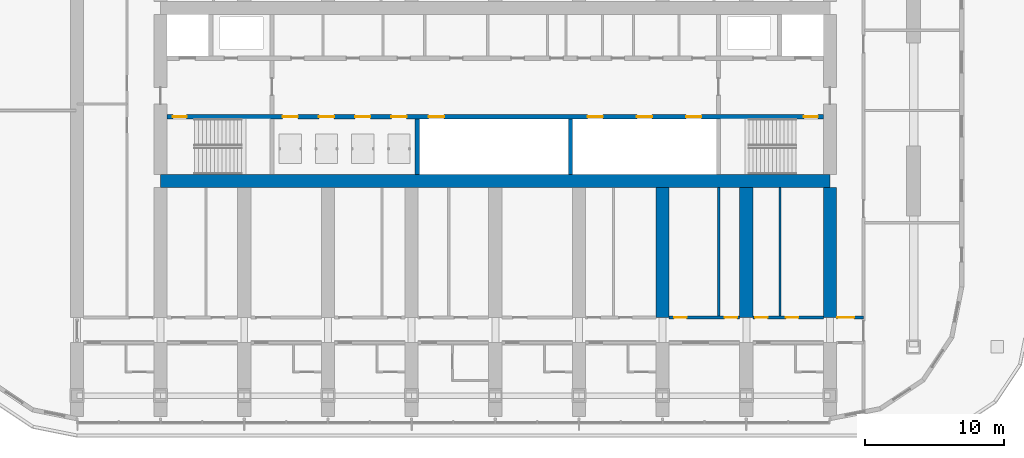
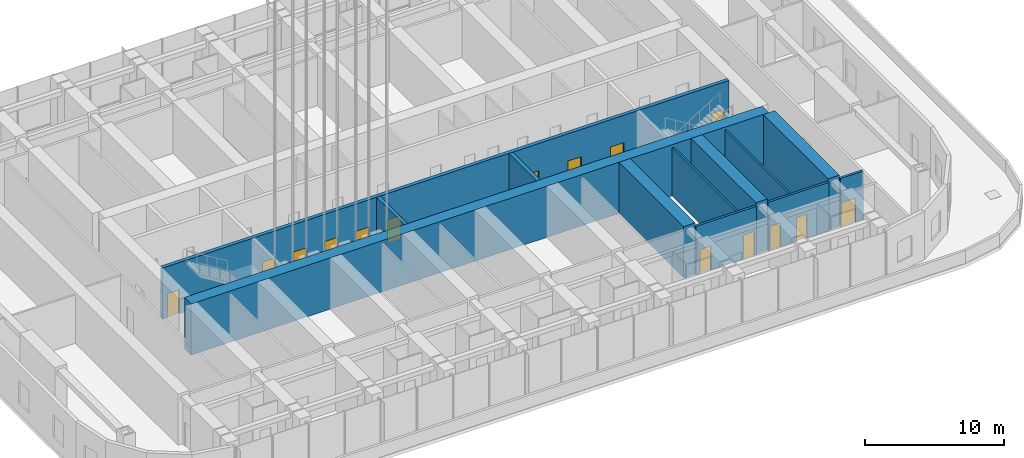
# One storey, part 11 of 31: 15 doors, 12 walls, 15 openings.
"""IFC4 building model written with IfcOpenShell, lengths in metres."""

from ifc_helpers import new_model, si_unit, direction, frame, frame_2d, origin, place, context, subcontext, project, spatial, rectangle, extrude, material, layer, layer_set, type_object, element, fill, save


model = new_model("IFC4")

# Units and contexts
model_context = context("Model", 3, precision=1e-05, world=origin(), true_north=direction((0.0, 1.0)))
body_context = subcontext(model_context, "Body", "Model", "MODEL_VIEW")
ifc_project = project(units=[si_unit("LENGTHUNIT", "METRE"), si_unit("AREAUNIT", "SQUARE_METRE"), si_unit("VOLUMEUNIT", "CUBIC_METRE"), si_unit("PLANEANGLEUNIT", "RADIAN"), si_unit("MASSUNIT", "GRAM", prefix="KILO")], contexts=[model_context])

# Site, building, storey
site_placement = place(None, origin())
site = spatial("IfcSite", under=ifc_project, at=site_placement, CompositionType="ELEMENT")
building_placement = place(site_placement, origin())
building = spatial("IfcBuilding", under=site, at=building_placement, Name="Orbita Commons", CompositionType="ELEMENT")
storey_placement = place(building_placement, frame((0.0, 0.0, 76.14990234375)))
storey = spatial("IfcBuildingStorey", under=building, at=storey_placement, Name="L18", CompositionType="ELEMENT", Elevation=76.14990234375)

# Wall, openings, doors
ifc_material_1 = material(Name="Concrete C50/60", Category="concrete")
ifc_layer_1 = layer(ifc_material_1, 0.300048828125)
ifc_layer_set_1 = layer_set([ifc_layer_1], Name="Concrete C50/60")
wall_type_1 = type_object("IfcWallType", Name="Core inner wall 300 C50/60", PredefinedType="SHEAR", material=ifc_layer_set_1)
wall_1_placement = place(storey_placement, frame((18.47509765625, 30.39990234375, 0.0), z_axis=(0.0, 0.0, 1.0), x_axis=(1.0, 0.0, 0.0)))
wall_1 = element("IfcWall", 1, at=wall_1_placement, inside=storey, type_object=wall_type_1, Name="Lobby wall south L18", PredefinedType="SHEAR", context=body_context, shape_type="SweptSolid", body=[
    extrude(rectangle(XDim=47.0498046875, YDim=0.300048828125, at=frame_2d((23.52490234375, 0.0))), origin(), (0.0, 0.0, 1.0), 4.5),
])
opening_1_placement = place(wall_1_placement, frame((0.39990234375, 0.0, 0.0)))
opening_1 = element("IfcOpeningElement", 2, at=opening_1_placement, cuts=wall_1, Name="Opening D02", PredefinedType="OPENING", context=body_context, shape_type="SweptSolid", body=[
    extrude(rectangle(XDim=1.0, YDim=2.10009765625, at=frame_2d((0.5, 1.050048828125))), frame((0.0, 0.159912109375, 0.0), z_axis=(0.0, -1.0, 0.0), x_axis=(1.0, 0.0, 0.0)), (0.0, 0.0, 1.0), 0.320068359375),
])
opening_2_placement = place(wall_1_placement, frame((45.64990234375, 0.0, 0.0)))
opening_2 = element("IfcOpeningElement", 3, at=opening_2_placement, cuts=wall_1, Name="Opening D02", PredefinedType="OPENING", context=body_context, shape_type="SweptSolid", body=[
    extrude(rectangle(XDim=1.0, YDim=2.10009765625, at=frame_2d((0.5, 1.050048828125))), frame((0.0, 0.159912109375, 0.0), z_axis=(0.0, -1.0, 0.0), x_axis=(1.0, 0.0, 0.0)), (0.0, 0.0, 1.0), 0.320068359375),
])
opening_3_placement = place(wall_1_placement, frame((8.27490234375, 0.0, 0.0)))
opening_3 = element("IfcOpeningElement", 4, at=opening_3_placement, cuts=wall_1, Name="Opening LD02", PredefinedType="OPENING", context=body_context, shape_type="SweptSolid", body=[
    extrude(rectangle(XDim=1.10009765625, YDim=2.10009765625, at=frame_2d((0.550048828125, 1.050048828125))), frame((0.0, 0.159912109375, 0.0), z_axis=(0.0, -1.0, 0.0), x_axis=(1.0, 0.0, 0.0)), (0.0, 0.0, 1.0), 0.320068359375),
])
opening_4_placement = place(wall_1_placement, frame((10.875, 0.0, 0.0)))
opening_4 = element("IfcOpeningElement", 5, at=opening_4_placement, cuts=wall_1, Name="Opening LD02", PredefinedType="OPENING", context=body_context, shape_type="SweptSolid", body=[
    extrude(rectangle(XDim=1.10009765625, YDim=2.10009765625, at=frame_2d((0.550048828125, 1.050048828125))), frame((0.0, 0.159912109375, 0.0), z_axis=(0.0, -1.0, 0.0), x_axis=(1.0, 0.0, 0.0)), (0.0, 0.0, 1.0), 0.320068359375),
])
opening_5_placement = place(wall_1_placement, frame((13.47509765625, 0.0, 0.0)))
opening_5 = element("IfcOpeningElement", 6, at=opening_5_placement, cuts=wall_1, Name="Opening LD02", PredefinedType="OPENING", context=body_context, shape_type="SweptSolid", body=[
    extrude(rectangle(XDim=1.10009765625, YDim=2.10009765625, at=frame_2d((0.550048828125, 1.050048828125))), frame((0.0, 0.159912109375, 0.0), z_axis=(0.0, -1.0, 0.0), x_axis=(1.0, 0.0, 0.0)), (0.0, 0.0, 1.0), 0.320068359375),
])
opening_6_placement = place(wall_1_placement, frame((16.074951171875, 0.0, 0.0)))
opening_6 = element("IfcOpeningElement", 7, at=opening_6_placement, cuts=wall_1, Name="Opening LD02", PredefinedType="OPENING", context=body_context, shape_type="SweptSolid", body=[
    extrude(rectangle(XDim=1.10009765625, YDim=2.10009765625, at=frame_2d((0.550048828125, 1.050048828125))), frame((0.0, 0.159912109375, 0.0), z_axis=(0.0, -1.0, 0.0), x_axis=(1.0, 0.0, 0.0)), (0.0, 0.0, 1.0), 0.320068359375),
])
opening_7_placement = place(wall_1_placement, frame((18.75, 0.0, 0.0)))
opening_7 = element("IfcOpeningElement", 8, at=opening_7_placement, cuts=wall_1, Name="Opening LD02", PredefinedType="OPENING", context=body_context, shape_type="SweptSolid", body=[
    extrude(rectangle(XDim=1.10009765625, YDim=2.10009765625, at=frame_2d((0.550048828125, 1.050048828125))), frame((0.0, 0.159912109375, 0.0), z_axis=(0.0, -1.0, 0.0), x_axis=(1.0, 0.0, 0.0)), (0.0, 0.0, 1.0), 0.320068359375),
])
opening_8_placement = place(wall_1_placement, frame((30.1416015625, 0.0, 0.0)))
opening_8 = element("IfcOpeningElement", 9, at=opening_8_placement, cuts=wall_1, Name="Opening LD02", PredefinedType="OPENING", context=body_context, shape_type="SweptSolid", body=[
    extrude(rectangle(XDim=1.10009765625, YDim=2.10009765625, at=frame_2d((0.550048828125, 1.050048828125))), frame((0.0, 0.159912109375, 0.0), z_axis=(0.0, -1.0, 0.0), x_axis=(1.0, 0.0, 0.0)), (0.0, 0.0, 1.0), 0.320068359375),
])
opening_9_placement = place(wall_1_placement, frame((33.675048828125, 0.0, 0.0)))
opening_9 = element("IfcOpeningElement", 10, at=opening_9_placement, cuts=wall_1, Name="Opening LD02", PredefinedType="OPENING", context=body_context, shape_type="SweptSolid", body=[
    extrude(rectangle(XDim=1.10009765625, YDim=2.10009765625, at=frame_2d((0.550048828125, 1.050048828125))), frame((0.0, 0.159912109375, 0.0), z_axis=(0.0, -1.0, 0.0), x_axis=(1.0, 0.0, 0.0)), (0.0, 0.0, 1.0), 0.320068359375),
])
opening_10_placement = place(wall_1_placement, frame((37.208251953125, 0.0, 0.0)))
opening_10 = element("IfcOpeningElement", 11, at=opening_10_placement, cuts=wall_1, Name="Opening LD02", PredefinedType="OPENING", context=body_context, shape_type="SweptSolid", body=[
    extrude(rectangle(XDim=1.10009765625, YDim=2.10009765625, at=frame_2d((0.550048828125, 1.050048828125))), frame((0.0, 0.159912109375, 0.0), z_axis=(0.0, -1.0, 0.0), x_axis=(1.0, 0.0, 0.0)), (0.0, 0.0, 1.0), 0.320068359375),
])
ifc_material_2 = material(Name="Steel-faced fire door leaf", Category="steel")
door_type_1 = type_object("IfcDoorType", Name="Fire door 90 min 1000x2100", OperationType="SINGLE_SWING_LEFT", PredefinedType="DOOR", material=ifc_material_2)
door_1_placement = place(opening_1_placement, origin())
door_1 = element("IfcDoor", 12, at=door_1_placement, inside=storey, type_object=door_type_1, Name="Stair S1 door", OperationType="SINGLE_SWING_LEFT", OverallHeight=2.10009765625, OverallWidth=1.0, PredefinedType="DOOR", context=body_context, shape_type="SweptSolid", body=[
    extrude(rectangle(XDim=1.0, YDim=2.10009765625, at=frame_2d((0.5, 1.050048828125))), frame((0.0, 0.02490234375, 0.0), z_axis=(0.0, -1.0, 0.0), x_axis=(1.0, 0.0, 0.0)), (0.0, 0.0, 1.0), 0.050048828125),
])
fill(opening_1, door_1)
door_2_placement = place(opening_2_placement, origin())
door_2 = element("IfcDoor", 13, at=door_2_placement, inside=storey, type_object=door_type_1, Name="Stair S2 door", OperationType="SINGLE_SWING_LEFT", OverallHeight=2.10009765625, OverallWidth=1.0, PredefinedType="DOOR", context=body_context, shape_type="SweptSolid", body=[
    extrude(rectangle(XDim=1.0, YDim=2.10009765625, at=frame_2d((0.5, 1.050048828125))), frame((0.0, 0.02490234375, 0.0), z_axis=(0.0, -1.0, 0.0), x_axis=(1.0, 0.0, 0.0)), (0.0, 0.0, 1.0), 0.050048828125),
])
fill(opening_2, door_2)
ifc_material_3 = material(Name="Steel-faced fire door leaf", Category="steel")
door_type_2 = type_object("IfcDoorType", Name="Lift landing door 1100x2100", OperationType="DOUBLE_DOOR_SLIDING", PredefinedType="DOOR", material=ifc_material_3)
door_3_placement = place(opening_3_placement, origin())
door_3 = element("IfcDoor", 14, at=door_3_placement, inside=storey, type_object=door_type_2, Name="Lift P21 landing door", OperationType="DOUBLE_DOOR_SLIDING", OverallHeight=2.10009765625, OverallWidth=1.10009765625, PredefinedType="DOOR", context=body_context, shape_type="SweptSolid", body=[
    extrude(rectangle(XDim=1.10009765625, YDim=2.10009765625, at=frame_2d((0.550048828125, 1.050048828125))), frame((0.0, 0.02490234375, 0.0), z_axis=(0.0, -1.0, 0.0), x_axis=(1.0, 0.0, 0.0)), (0.0, 0.0, 1.0), 0.050048828125),
])
fill(opening_3, door_3)
door_4_placement = place(opening_4_placement, origin())
door_4 = element("IfcDoor", 15, at=door_4_placement, inside=storey, type_object=door_type_2, Name="Lift P22 landing door", OperationType="DOUBLE_DOOR_SLIDING", OverallHeight=2.10009765625, OverallWidth=1.10009765625, PredefinedType="DOOR", context=body_context, shape_type="SweptSolid", body=[
    extrude(rectangle(XDim=1.10009765625, YDim=2.10009765625, at=frame_2d((0.550048828125, 1.050048828125))), frame((0.0, 0.02490234375, 0.0), z_axis=(0.0, -1.0, 0.0), x_axis=(1.0, 0.0, 0.0)), (0.0, 0.0, 1.0), 0.050048828125),
])
fill(opening_4, door_4)
door_5_placement = place(opening_5_placement, origin())
door_5 = element("IfcDoor", 16, at=door_5_placement, inside=storey, type_object=door_type_2, Name="Lift P23 landing door", OperationType="DOUBLE_DOOR_SLIDING", OverallHeight=2.10009765625, OverallWidth=1.10009765625, PredefinedType="DOOR", context=body_context, shape_type="SweptSolid", body=[
    extrude(rectangle(XDim=1.10009765625, YDim=2.10009765625, at=frame_2d((0.550048828125, 1.050048828125))), frame((0.0, 0.02490234375, 0.0), z_axis=(0.0, -1.0, 0.0), x_axis=(1.0, 0.0, 0.0)), (0.0, 0.0, 1.0), 0.050048828125),
])
fill(opening_5, door_5)
door_6_placement = place(opening_6_placement, origin())
door_6 = element("IfcDoor", 17, at=door_6_placement, inside=storey, type_object=door_type_2, Name="Lift P24 landing door", OperationType="DOUBLE_DOOR_SLIDING", OverallHeight=2.10009765625, OverallWidth=1.10009765625, PredefinedType="DOOR", context=body_context, shape_type="SweptSolid", body=[
    extrude(rectangle(XDim=1.10009765625, YDim=2.10009765625, at=frame_2d((0.550048828125, 1.050048828125))), frame((0.0, 0.02490234375, 0.0), z_axis=(0.0, -1.0, 0.0), x_axis=(1.0, 0.0, 0.0)), (0.0, 0.0, 1.0), 0.050048828125),
])
fill(opening_6, door_6)
door_7_placement = place(opening_7_placement, origin())
door_7 = element("IfcDoor", 18, at=door_7_placement, inside=storey, type_object=door_type_2, Name="Lift SH11 landing door", OperationType="DOUBLE_DOOR_SLIDING", OverallHeight=2.10009765625, OverallWidth=1.10009765625, PredefinedType="DOOR", context=body_context, shape_type="SweptSolid", body=[
    extrude(rectangle(XDim=1.10009765625, YDim=2.10009765625, at=frame_2d((0.550048828125, 1.050048828125))), frame((0.0, 0.02490234375, 0.0), z_axis=(0.0, -1.0, 0.0), x_axis=(1.0, 0.0, 0.0)), (0.0, 0.0, 1.0), 0.050048828125),
])
fill(opening_7, door_7)
door_8_placement = place(opening_8_placement, origin())
door_8 = element("IfcDoor", 19, at=door_8_placement, inside=storey, type_object=door_type_2, Name="Lift SV1 landing door", OperationType="DOUBLE_DOOR_SLIDING", OverallHeight=2.10009765625, OverallWidth=1.10009765625, PredefinedType="DOOR", context=body_context, shape_type="SweptSolid", body=[
    extrude(rectangle(XDim=1.10009765625, YDim=2.10009765625, at=frame_2d((0.550048828125, 1.050048828125))), frame((0.0, 0.02490234375, 0.0), z_axis=(0.0, -1.0, 0.0), x_axis=(1.0, 0.0, 0.0)), (0.0, 0.0, 1.0), 0.050048828125),
])
fill(opening_8, door_8)
door_9_placement = place(opening_9_placement, origin())
door_9 = element("IfcDoor", 20, at=door_9_placement, inside=storey, type_object=door_type_2, Name="Lift SV2 landing door", OperationType="DOUBLE_DOOR_SLIDING", OverallHeight=2.10009765625, OverallWidth=1.10009765625, PredefinedType="DOOR", context=body_context, shape_type="SweptSolid", body=[
    extrude(rectangle(XDim=1.10009765625, YDim=2.10009765625, at=frame_2d((0.550048828125, 1.050048828125))), frame((0.0, 0.02490234375, 0.0), z_axis=(0.0, -1.0, 0.0), x_axis=(1.0, 0.0, 0.0)), (0.0, 0.0, 1.0), 0.050048828125),
])
fill(opening_9, door_9)
door_10_placement = place(opening_10_placement, origin())
door_10 = element("IfcDoor", 21, at=door_10_placement, inside=storey, type_object=door_type_2, Name="Lift SV3 landing door", OperationType="DOUBLE_DOOR_SLIDING", OverallHeight=2.10009765625, OverallWidth=1.10009765625, PredefinedType="DOOR", context=body_context, shape_type="SweptSolid", body=[
    extrude(rectangle(XDim=1.10009765625, YDim=2.10009765625, at=frame_2d((0.550048828125, 1.050048828125))), frame((0.0, 0.02490234375, 0.0), z_axis=(0.0, -1.0, 0.0), x_axis=(1.0, 0.0, 0.0)), (0.0, 0.0, 1.0), 0.050048828125),
])
fill(opening_10, door_10)

# Walls
for number, where, z_axis, x_axis, name in (
    (22, (36.39990234375, 26.27490234375, 0.0), (0.0, 0.0, 1.0), (0.0, 1.0, 0.0), "Hoistway division wall L18"),
    (23, (47.39990234375, 26.27490234375, 0.0), (0.0, 0.0, 1.0), (0.0, 1.0, 0.0), "Hoistway division wall L18"),
):
    element("IfcWall", number, at=place(storey_placement, frame(where, z_axis=z_axis, x_axis=x_axis)), inside=storey, type_object=wall_type_1, Name=name, PredefinedType="SHEAR", context=body_context, shape_type="SweptSolid", body=[
        extrude(rectangle(XDim=3.97509765625, YDim=0.300048828125, at=frame_2d((1.987548828125, 0.0))), origin(), (0.0, 0.0, 1.0), 4.5),
    ])
ifc_material_4 = material(Name="Concrete C50/60", Category="concrete")
ifc_layer_2 = layer(ifc_material_4, 0.949951171875)
ifc_layer_set_2 = layer_set([ifc_layer_2], Name="Concrete C50/60")
wall_type_2 = type_object("IfcWallType", Name="Core wall 950 C50/60", PredefinedType="SHEAR", material=ifc_layer_set_2)
wall_2_placement = place(storey_placement, frame((18.0, 25.800048828125, 0.0), z_axis=(0.0, 0.0, 1.0), x_axis=(1.0, 0.0, 0.0)))
element("IfcWall", 24, at=wall_2_placement, inside=storey, type_object=wall_type_2, Name="Core spine wall south L18", PredefinedType="SHEAR", context=body_context, shape_type="SweptSolid", body=[
    extrude(rectangle(XDim=48.0, YDim=0.949951171875, at=frame_2d((24.0, 0.0))), origin(), (0.0, 0.0, 1.0), 4.5),
])

# Wall, openings, doors
ifc_material_5 = material(Name="Hollow concrete block 200", Category="concrete")
ifc_layer_3 = layer(ifc_material_5, 0.199951171875)
ifc_layer_set_3 = layer_set([ifc_layer_3], Name="Hollow concrete block 200")
wall_type_3 = type_object("IfcWallType", Name="Corridor wall 200 hollow concrete block", PredefinedType="SOLIDWALL", material=ifc_layer_set_3)
wall_3_placement = place(storey_placement, frame((54.47509765625, 16.0, 0.0), z_axis=(0.0, 0.0, 1.0), x_axis=(1.0, 0.0, 0.0)))
wall_3 = element("IfcWall", 25, at=wall_3_placement, inside=storey, type_object=wall_type_3, Name="Corridor wall 200 hollow concrete block L18", PredefinedType="SOLIDWALL", context=body_context, shape_type="SweptSolid", body=[
    extrude(rectangle(XDim=5.0498046875, YDim=0.199951171875, at=frame_2d((2.52490234375, 0.0))), origin(), (0.0, 0.0, 1.0), 4.25),
])
opening_11_placement = place(wall_3_placement, frame((0.35009765625, 0.0, 0.0)))
opening_11 = element("IfcOpeningElement", 26, at=opening_11_placement, cuts=wall_3, Name="Opening D11", PredefinedType="OPENING", context=body_context, shape_type="SweptSolid", body=[
    extrude(rectangle(XDim=0.89990234375, YDim=2.10009765625, at=frame_2d((0.449951171875, 1.050048828125))), frame((0.0, 0.10986328125, 0.0), z_axis=(0.0, -1.0, 0.0), x_axis=(1.0, 0.0, 0.0)), (0.0, 0.0, 1.0), 0.219970703125),
])
opening_12_placement = place(wall_3_placement, frame((3.97509765625, 0.0, 0.0)))
opening_12 = element("IfcOpeningElement", 27, at=opening_12_placement, cuts=wall_3, Name="Opening D11", PredefinedType="OPENING", context=body_context, shape_type="SweptSolid", body=[
    extrude(rectangle(XDim=0.89990234375, YDim=2.10009765625, at=frame_2d((0.449951171875, 1.050048828125))), frame((0.0, 0.10986328125, 0.0), z_axis=(0.0, -1.0, 0.0), x_axis=(1.0, 0.0, 0.0)), (0.0, 0.0, 1.0), 0.219970703125),
])
ifc_material_6 = material(Name="Steel-faced fire door leaf", Category="steel")
door_type_3 = type_object("IfcDoorType", Name="Corridor door 20 min 900x2100", OperationType="SINGLE_SWING_LEFT", PredefinedType="DOOR", material=ifc_material_6)
door_11_placement = place(opening_11_placement, origin())
door_11 = element("IfcDoor", 28, at=door_11_placement, inside=storey, type_object=door_type_3, Name="Parcel room L18-BDS54 door", OperationType="SINGLE_SWING_LEFT", OverallHeight=2.10009765625, OverallWidth=0.89990234375, PredefinedType="DOOR", context=body_context, shape_type="SweptSolid", body=[
    extrude(rectangle(XDim=0.89990234375, YDim=2.10009765625, at=frame_2d((0.449951171875, 1.050048828125))), frame((0.0, 0.02490234375, 0.0), z_axis=(0.0, -1.0, 0.0), x_axis=(1.0, 0.0, 0.0)), (0.0, 0.0, 1.0), 0.050048828125),
])
fill(opening_11, door_11)
door_12_placement = place(opening_12_placement, origin())
door_12 = element("IfcDoor", 29, at=door_12_placement, inside=storey, type_object=door_type_3, Name="Sprinkler valve room L18-BDS54n door", OperationType="SINGLE_SWING_LEFT", OverallHeight=2.10009765625, OverallWidth=0.89990234375, PredefinedType="DOOR", context=body_context, shape_type="SweptSolid", body=[
    extrude(rectangle(XDim=0.89990234375, YDim=2.10009765625, at=frame_2d((0.449951171875, 1.050048828125))), frame((0.0, 0.02490234375, 0.0), z_axis=(0.0, -1.0, 0.0), x_axis=(1.0, 0.0, 0.0)), (0.0, 0.0, 1.0), 0.050048828125),
])
fill(opening_12, door_12)

wall_4_placement = place(storey_placement, frame((60.47509765625, 16.0, 0.0), z_axis=(0.0, 0.0, 1.0), x_axis=(1.0, 0.0, 0.0)))
wall_4 = element("IfcWall", 30, at=wall_4_placement, inside=storey, type_object=wall_type_3, Name="Corridor wall 200 hollow concrete block L18", PredefinedType="SOLIDWALL", context=body_context, shape_type="SweptSolid", body=[
    extrude(rectangle(XDim=5.0498046875, YDim=0.199951171875, at=frame_2d((2.52490234375, 0.0))), origin(), (0.0, 0.0, 1.0), 4.25),
])
opening_13_placement = place(wall_4_placement, frame((0.14990234375, 0.0, 0.0)))
opening_13 = element("IfcOpeningElement", 31, at=opening_13_placement, cuts=wall_4, Name="Opening D11", PredefinedType="OPENING", context=body_context, shape_type="SweptSolid", body=[
    extrude(rectangle(XDim=0.89990234375, YDim=2.10009765625, at=frame_2d((0.449951171875, 1.050048828125))), frame((0.0, 0.10986328125, 0.0), z_axis=(0.0, -1.0, 0.0), x_axis=(1.0, 0.0, 0.0)), (0.0, 0.0, 1.0), 0.219970703125),
])
opening_14_placement = place(wall_4_placement, frame((2.35498046875, 0.0, 0.0)))
opening_14 = element("IfcOpeningElement", 32, at=opening_14_placement, cuts=wall_4, Name="Opening D11", PredefinedType="OPENING", context=body_context, shape_type="SweptSolid", body=[
    extrude(rectangle(XDim=0.89990234375, YDim=2.10009765625, at=frame_2d((0.449951171875, 1.050048828125))), frame((0.0, 0.10986328125, 0.0), z_axis=(0.0, -1.0, 0.0), x_axis=(1.0, 0.0, 0.0)), (0.0, 0.0, 1.0), 0.219970703125),
])
door_13_placement = place(opening_13_placement, origin())
door_13 = element("IfcDoor", 33, at=door_13_placement, inside=storey, type_object=door_type_3, Name="Water heater cupboard L18-BDS60n door", OperationType="SINGLE_SWING_LEFT", OverallHeight=2.10009765625, OverallWidth=0.89990234375, PredefinedType="DOOR", context=body_context, shape_type="SweptSolid", body=[
    extrude(rectangle(XDim=0.89990234375, YDim=2.10009765625, at=frame_2d((0.449951171875, 1.050048828125))), frame((0.0, 0.02490234375, 0.0), z_axis=(0.0, -1.0, 0.0), x_axis=(1.0, 0.0, 0.0)), (0.0, 0.0, 1.0), 0.050048828125),
])
fill(opening_13, door_13)
door_14_placement = place(opening_14_placement, origin())
door_14 = element("IfcDoor", 34, at=door_14_placement, inside=storey, type_object=door_type_3, Name="Guest luggage store L18-BDS60 door", OperationType="SINGLE_SWING_LEFT", OverallHeight=2.10009765625, OverallWidth=0.89990234375, PredefinedType="DOOR", context=body_context, shape_type="SweptSolid", body=[
    extrude(rectangle(XDim=0.89990234375, YDim=2.10009765625, at=frame_2d((0.449951171875, 1.050048828125))), frame((0.0, 0.02490234375, 0.0), z_axis=(0.0, -1.0, 0.0), x_axis=(1.0, 0.0, 0.0)), (0.0, 0.0, 1.0), 0.050048828125),
])
fill(opening_14, door_14)

# Wall, opening, door
wall_5_placement = place(storey_placement, frame((66.47509765625, 16.0, 0.0), z_axis=(0.0, 0.0, 1.0), x_axis=(1.0, 0.0, 0.0)))
wall_5 = element("IfcWall", 35, at=wall_5_placement, inside=storey, type_object=wall_type_3, Name="Corridor wall 200 hollow concrete block L18", PredefinedType="SOLIDWALL", context=body_context, shape_type="SweptSolid", body=[
    extrude(rectangle(XDim=1.9248046875, YDim=0.199951171875, at=frame_2d((0.96240234375, 0.0))), origin(), (0.0, 0.0, 1.0), 4.25),
])
opening_15_placement = place(wall_5_placement, frame((0.050048828125, 0.0, 0.0)))
opening_15 = element("IfcOpeningElement", 36, at=opening_15_placement, cuts=wall_5, Name="Opening D12", PredefinedType="OPENING", context=body_context, shape_type="SweptSolid", body=[
    extrude(rectangle(XDim=1.199951171875, YDim=2.10009765625, at=frame_2d((0.60009765625, 1.050048828125))), frame((0.0, 0.10986328125, 0.0), z_axis=(0.0, -1.0, 0.0), x_axis=(1.0, 0.0, 0.0)), (0.0, 0.0, 1.0), 0.219970703125),
])
ifc_material_7 = material(Name="Steel-faced fire door leaf", Category="steel")
door_type_4 = type_object("IfcDoorType", Name="Double corridor door 20 min 1200x2100", OperationType="DOUBLE_DOOR_SINGLE_SWING", PredefinedType="DOOR", material=ifc_material_7)
door_15_placement = place(opening_15_placement, origin())
door_15 = element("IfcDoor", 37, at=door_15_placement, inside=storey, type_object=door_type_4, Name="Cross corridor doors", OperationType="DOUBLE_DOOR_SINGLE_SWING", OverallHeight=2.10009765625, OverallWidth=1.199951171875, PredefinedType="DOOR", context=body_context, shape_type="SweptSolid", body=[
    extrude(rectangle(XDim=1.199951171875, YDim=2.10009765625, at=frame_2d((0.60009765625, 1.050048828125))), frame((0.0, 0.02490234375, 0.0), z_axis=(0.0, -1.0, 0.0), x_axis=(1.0, 0.0, 0.0)), (0.0, 0.0, 1.0), 0.050048828125),
])
fill(opening_15, door_15)

# Walls
ifc_material_8 = material(Name="Concrete C50/60", Category="concrete")
ifc_layer_4 = layer(ifc_material_8, 0.949951171875)
ifc_layer_set_4 = layer_set([ifc_layer_4], Name="Concrete C50/60")
wall_type_4 = type_object("IfcWallType", Name="Cross wall 950 C50/60", PredefinedType="SHEAR", material=ifc_layer_set_4)
for number, where, z_axis, x_axis, name in (
    (38, (54.0, 16.0, 0.0), (0.0, 0.0, 1.0), (0.0, 1.0, 0.0), "Cross wall 10 south inner L18"),
    (39, (60.0, 16.0, 0.0), (0.0, 0.0, 1.0), (0.0, 1.0, 0.0), "Cross wall 11 south inner L18"),
    (40, (66.0, 16.0, 0.0), (0.0, 0.0, 1.0), (0.0, 1.0, 0.0), "Cross wall 12 south inner L18"),
):
    element("IfcWall", number, at=place(storey_placement, frame(where, z_axis=z_axis, x_axis=x_axis)), inside=storey, type_object=wall_type_4, Name=name, PredefinedType="SHEAR", context=body_context, shape_type="SweptSolid", body=[
        extrude(rectangle(XDim=9.324951171875, YDim=0.949951171875, at=frame_2d((4.66259765625, 0.0))), origin(), (0.0, 0.0, 1.0), 4.5),
    ])
ifc_material_9 = material(Name="Gypsum plasterboard on steel studs", Category="steel")
ifc_layer_5 = layer(ifc_material_9, 0.14990234375)
ifc_layer_set_5 = layer_set([ifc_layer_5], Name="Gypsum plasterboard on steel studs")
wall_type_5 = type_object("IfcWallType", Name="Partition 150 plasterboard", PredefinedType="PARTITIONING", material=ifc_layer_set_5)
for number, where, z_axis, x_axis, name in (
    (41, (58.02490234375, 16.10009765625, 0.0), (0.0, 0.0, 1.0), (0.0, 1.0, 0.0), "Partition 150 plasterboard L18"),
    (42, (62.405029296875, 16.10009765625, 0.0), (0.0, 0.0, 1.0), (0.0, 1.0, 0.0), "Partition 150 plasterboard L18"),
):
    element("IfcWall", number, at=place(storey_placement, frame(where, z_axis=z_axis, x_axis=x_axis)), inside=storey, type_object=wall_type_5, Name=name, PredefinedType="PARTITIONING", context=body_context, shape_type="SweptSolid", body=[
        extrude(rectangle(XDim=9.224853515625, YDim=0.14990234375, at=frame_2d((4.6123046875, 0.0))), origin(), (0.0, 0.0, 1.0), 4.25),
    ])

save(model, "model.ifc")
